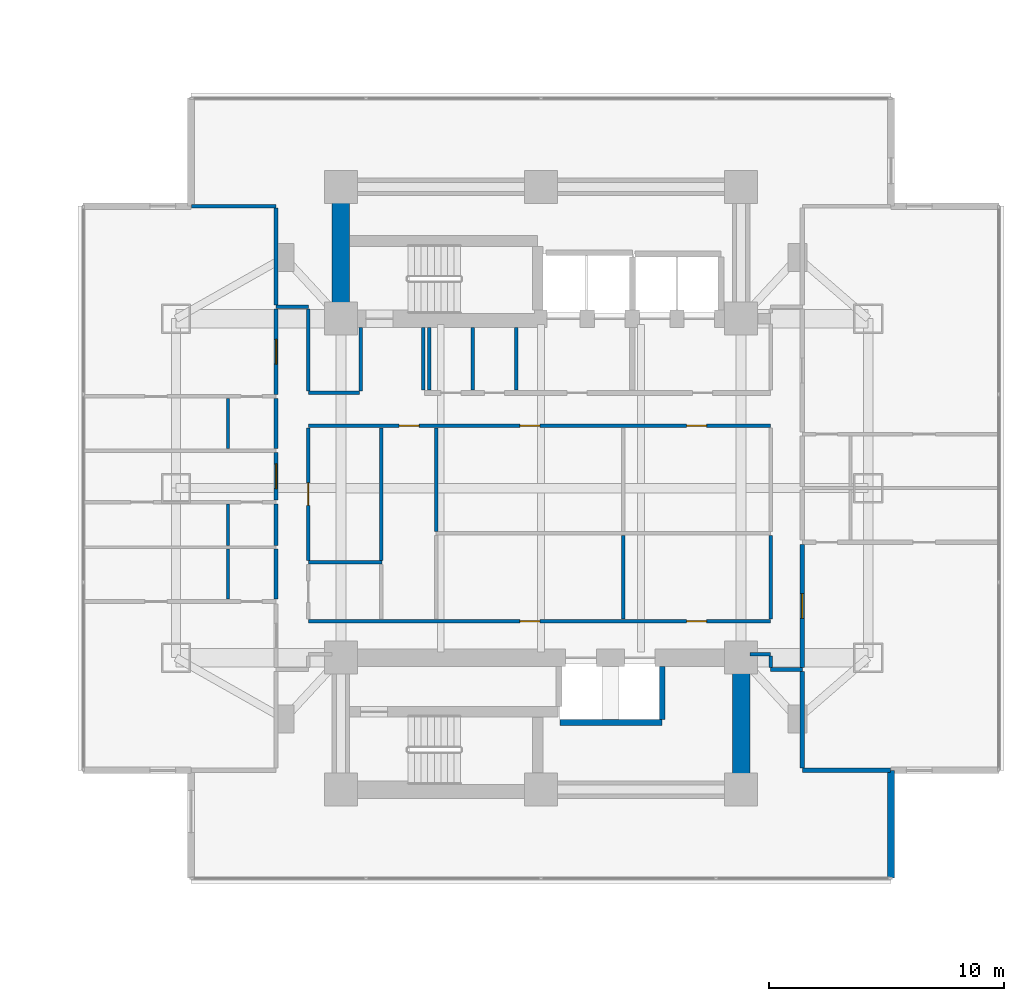
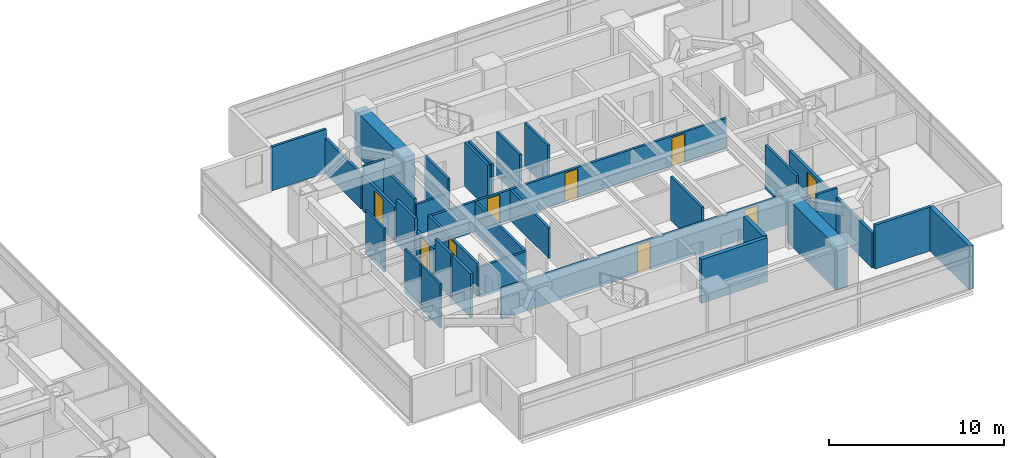
# One storey, part 19 of 26: 37 walls, 9 doors, 9 openings.
"""IFC4 building model written with IfcOpenShell, lengths in metres."""

import ifcopenshell
import ifcopenshell.guid

model = None  # the IFC model being written
_history = None  # IfcOwnerHistory: only IFC2X3 demands one
_inside = {}  # id of a spatial element -> (the spatial element, [elements in it])
_under = {}  # id of a project, library or spatial element -> (it, [spatial elements below it])
_declared = {}  # id of a project -> (the project, [libraries it declares])
_typed = {}  # id of a type object -> (the type object, [elements of that type])
_made_of = {}  # id of a material, layer set ... -> (it, [elements and type objects made of it])


def new_model(schema):
    """Start an empty IFC model of exactly this schema.

    Asked for "IFC4X3", IfcOpenShell would pick the latest addendum, in which some entities
    have other attributes; the version numbers below select the first issue.
    IFC2X3 requires an IfcOwnerHistory on every rooted entity: one is made here for all.
    """
    global model, _history
    if schema == "IFC4X3":
        model = ifcopenshell.file(schema_version=(4, 3, 0, 0))
    else:
        model = ifcopenshell.file(schema=schema)
    _inside.clear()
    _under.clear()
    _declared.clear()
    _typed.clear()
    _made_of.clear()
    _history = None
    if model.schema == "IFC2X3":
        org = make("IfcOrganization", Name="unknown")
        user = make(
            "IfcPersonAndOrganization",
            ThePerson=make("IfcPerson", FamilyName="unknown"),
            TheOrganization=org,
        )
        app = make(
            "IfcApplication",
            ApplicationDeveloper=org,
            Version="unknown",
            ApplicationFullName="unknown",
            ApplicationIdentifier="unknown",
        )
        _history = make(
            "IfcOwnerHistory",
            OwningUser=user,
            OwningApplication=app,
            ChangeAction="ADDED",
            CreationDate=0,
        )
    return model


def make(cls, **values):
    """One entity of the class cls with the attributes given. An attribute that is None is left unset."""
    return model.create_entity(
        cls, **{name: value for name, value in values.items() if value is not None}
    )


def rooted(cls, **values):
    """An entity with a GlobalId (a new one), such as an element, a storey or a relation."""
    return make(cls, GlobalId=ifcopenshell.guid.new(), OwnerHistory=_history, **values)


def si_unit(unit_type, name, prefix=None):
    """IfcSIUnit, for example si_unit("LENGTHUNIT", "METRE", prefix="MILLI")."""
    return make("IfcSIUnit", UnitType=unit_type, Prefix=prefix, Name=name)


def assignment(units):
    """IfcUnitAssignment: the units of a project."""
    return None if units is None else make("IfcUnitAssignment", Units=units)


def point(xyz):
    """IfcCartesianPoint."""
    return None if xyz is None else make("IfcCartesianPoint", Coordinates=xyz)


def direction(xyz):
    """IfcDirection."""
    return None if xyz is None else make("IfcDirection", DirectionRatios=xyz)


def frame(location, z_axis=None, x_axis=None):
    """IfcAxis2Placement3D, a coordinate frame: its origin and axes. An axis left out is left unset."""
    return make(
        "IfcAxis2Placement3D",
        Location=point(location),
        Axis=direction(z_axis),
        RefDirection=direction(x_axis),
    )


def frame_2d(location, x_axis=None):
    """IfcAxis2Placement2D, a coordinate frame in the plane: its origin and x axis."""
    return make(
        "IfcAxis2Placement2D", Location=point(location), RefDirection=direction(x_axis)
    )


def origin():
    """The frame at (0, 0, 0) with its axes left unset."""
    return frame((0.0, 0.0, 0.0))


def place(relative_to, where):
    """IfcLocalPlacement: puts the frame where relative to a parent placement (None: the world)."""
    return make(
        "IfcLocalPlacement", PlacementRelTo=relative_to, RelativePlacement=where
    )


def context(
    kind, dimensions, precision=None, world=None, true_north=None, identifier=None
):
    """IfcGeometricRepresentationContext, for example the 3D "Model" context."""
    return make(
        "IfcGeometricRepresentationContext",
        ContextIdentifier=identifier,
        ContextType=kind,
        CoordinateSpaceDimension=dimensions,
        Precision=precision,
        WorldCoordinateSystem=world,
        TrueNorth=true_north,
    )


def subcontext(parent, identifier, kind, view, scale=None):
    """IfcGeometricRepresentationSubContext, for example "Body" below "Model"."""
    return make(
        "IfcGeometricRepresentationSubContext",
        ContextIdentifier=identifier,
        ContextType=kind,
        ParentContext=parent,
        TargetScale=scale,
        TargetView=view,
    )


def project(units=None, contexts=None):
    """IfcProject with its units and contexts."""
    return rooted(
        "IfcProject",
        Name="project",
        RepresentationContexts=contexts,
        UnitsInContext=assignment(units),
    )


def spatial(cls, under=None, at=None, **own):
    """A site, building, storey or space (cls), placed at a placement, below another one or the project."""
    s = rooted(cls, ObjectPlacement=at, **own)
    if under is not None:
        _under.setdefault(under.id(), (under, []))[1].append(s)
    return s


def profile(cls, at=None, kind="AREA", **sizes):
    """A parametric profile (cls). Its sizes go by their IFC names, for example OverallWidth=200.0."""
    return make(cls, ProfileType=kind, Position=at, **sizes)


def rectangle(**sizes):
    """IfcRectangleProfileDef."""
    return profile("IfcRectangleProfileDef", **sizes)


def extrude(swept, where, along, depth):
    """IfcExtrudedAreaSolid: the profile swept, set in the frame where, extruded along a direction by depth."""
    return make(
        "IfcExtrudedAreaSolid",
        SweptArea=swept,
        Position=where,
        ExtrudedDirection=direction(along),
        Depth=depth,
    )


def shape(context_of_items, identifier, shape_type, items):
    """IfcShapeRepresentation: the items that make up one representation, for example the "Body"."""
    return make(
        "IfcShapeRepresentation",
        ContextOfItems=context_of_items,
        RepresentationIdentifier=identifier,
        RepresentationType=shape_type,
        Items=items,
    )


def material(Name=None, Category=None):
    """IfcMaterial."""
    return make("IfcMaterial", Name=Name, Category=Category)


def layer(
    of_material, thickness, ventilated=None, Name=None, Category=None, Priority=None
):
    """IfcMaterialLayer: one layer of a wall or slab, of a material (None: an air gap)."""
    return make(
        "IfcMaterialLayer",
        Material=of_material,
        LayerThickness=thickness,
        IsVentilated=ventilated,
        Name=Name,
        Category=Category,
        Priority=Priority,
    )


def layer_set(layers, Name=None):
    """IfcMaterialLayerSet."""
    return make("IfcMaterialLayerSet", MaterialLayers=layers, LayerSetName=Name)


def made_of(thing, what):
    """Note that an element or type object is made of a material, layer set ...; save() writes the relation."""
    if what is not None:
        _made_of.setdefault(what.id(), (what, []))[1].append(thing)
    return thing


def type_object(cls, material=None, **own):
    """A type object (cls), such as IfcWallType, which elements share."""
    return made_of(rooted(cls, **own), material)


def element(
    cls,
    number,
    at=None,
    inside=None,
    cuts=None,
    type_object=None,
    material=None,
    context=None,
    identifier="Body",
    shape_type=None,
    held_by="IfcProductDefinitionShape",
    body=None,
    shapes=None,
    **own,
):
    """One element of the class cls, such as IfcWall. Its Tag is "e" and its number.

    at: its placement. inside: the storey or other place that contains it. cuts: it is an
    opening in that element (IfcRelVoidsElement). A single representation is given by context,
    identifier, shape_type and body (its items); several are given by shapes. held_by: the class
    of the entity that holds the representations. save() writes the other relations.
    """
    e = rooted(cls, Tag="e%d" % number, ObjectPlacement=at, **own)
    if body is not None:
        shapes = [shape(context, identifier, shape_type, body)]
    if shapes is not None:
        e.Representation = make(held_by, Representations=shapes)
    if inside is not None:
        _inside.setdefault(inside.id(), (inside, []))[1].append(e)
    if cuts is not None:
        rooted(
            "IfcRelVoidsElement", RelatingBuildingElement=cuts, RelatedOpeningElement=e
        )
    if type_object is not None:
        _typed.setdefault(type_object.id(), (type_object, []))[1].append(e)
    return made_of(e, material)


def fill(opening, filler):
    """IfcRelFillsElement: the door or window that sits in an opening."""
    return rooted(
        "IfcRelFillsElement",
        RelatingOpeningElement=opening,
        RelatedBuildingElement=filler,
    )


def aggregate(whole, parts):
    """IfcRelAggregates: a whole, such as a stair, and the parts it consists of."""
    return rooted("IfcRelAggregates", RelatingObject=whole, RelatedObjects=parts)


def save(model, path):
    """Write the relations noted so far, then the file.

    IfcRelAggregates (storeys below a building ...), IfcRelContainedInSpatialStructure (elements
    in a storey), IfcRelDefinesByType, IfcRelAssociatesMaterial and IfcRelDeclares: one each for
    every whole, place, type object, material and project.
    """
    for whole, parts in _under.values():
        aggregate(whole, parts)
    for where, things in _inside.values():
        rooted(
            "IfcRelContainedInSpatialStructure",
            RelatedElements=things,
            RelatingStructure=where,
        )
    for kind, things in _typed.values():
        rooted("IfcRelDefinesByType", RelatedObjects=things, RelatingType=kind)
    for what, things in _made_of.values():
        rooted("IfcRelAssociatesMaterial", RelatedObjects=things, RelatingMaterial=what)
    for by, libraries in _declared.values():
        rooted("IfcRelDeclares", RelatingContext=by, RelatedDefinitions=libraries)
    model.write(path)


model = new_model("IFC4")

# Units and contexts
model_context = context("Model", 3, precision=1e-05, world=origin(), true_north=direction((0.0, 1.0)))
body_context = subcontext(model_context, "Body", "Model", "MODEL_VIEW")
ifc_project = project(units=[si_unit("LENGTHUNIT", "METRE"), si_unit("AREAUNIT", "SQUARE_METRE"), si_unit("VOLUMEUNIT", "CUBIC_METRE"), si_unit("PLANEANGLEUNIT", "RADIAN"), si_unit("MASSUNIT", "GRAM", prefix="KILO")], contexts=[model_context])

# Site, building, storey
site_placement = place(None, origin())
site = spatial("IfcSite", under=ifc_project, at=site_placement, CompositionType="ELEMENT")
building_placement = place(site_placement, origin())
building = spatial("IfcBuilding", under=site, at=building_placement, Name="Mirazonda Arch Towers", CompositionType="ELEMENT")
storey_placement = place(building_placement, frame((0.0, 0.0, 45.5)))
storey = spatial("IfcBuildingStorey", under=building, at=storey_placement, Name="L12", CompositionType="ELEMENT", Elevation=45.5)

# Walls
ifc_material_1 = material(Name="Concrete C60/75", Category="concrete")
ifc_layer_1 = layer(ifc_material_1, 0.75, Name="WALL-CORE-750")
ifc_layer_set_1 = layer_set([ifc_layer_1], Name="Concrete C60/75")
wall_type_1 = type_object("IfcWallType", Name="WALL-CORE-750", PredefinedType="SHEAR", material=ifc_layer_set_1)
for number, where, z_axis, x_axis, name in (
    (1, (68.0, 35.199951171875, 0.0), (0.0, 0.0, 1.0), (0.0, 1.0, 0.0), "L12 T2N-W Core Shear Wall"),
    (2, (85.0, 15.199951171875, 0.0), (0.0, 0.0, 1.0), (0.0, 1.0, 0.0), "L12 T2S-E Core Shear Wall"),
):
    element("IfcWall", number, at=place(storey_placement, frame(where, z_axis=z_axis, x_axis=x_axis)), inside=storey, type_object=wall_type_1, Name=name, PredefinedType="SHEAR", context=body_context, shape_type="SweptSolid", body=[
        extrude(rectangle(XDim=5.60009765625, YDim=0.75, at=frame_2d((2.800048828125, 0.0))), origin(), (0.0, 0.0, 1.0), 3.06005859375),
    ])
ifc_material_2 = material(Name="Precast Concrete C40/50", Category="concrete")
ifc_layer_2 = layer(ifc_material_2, 0.280029296875, Name="WALL-EXT-WALL-280")
ifc_layer_set_2 = layer_set([ifc_layer_2], Name="Precast Concrete C40/50")
wall_type_2 = type_object("IfcWallType", Name="WALL-EXT-WALL-280", PredefinedType="SOLIDWALL", material=ifc_layer_set_2)
wall_1_placement = place(storey_placement, frame((91.365966796875, 11.43701171875, 0.0), z_axis=(0.0, 0.0, 1.0), x_axis=(0.0, 1.0, 0.0)))
element("IfcWall", 3, at=wall_1_placement, inside=storey, type_object=wall_type_2, Name="L12 T2 Corner Notch Return Wall WL-L12-T2-CSE2", PredefinedType="SOLIDWALL", context=body_context, shape_type="SweptSolid", body=[
    extrude(rectangle(XDim=4.579833984375, YDim=0.280029296875, at=frame_2d((2.2900390625, 0.0))), origin(), (0.0, 0.0, 1.0), 3.0400390625),
])
ifc_material_3 = material(Name="Fire-Rated Gypsum Stud Partition")
ifc_layer_3 = layer(ifc_material_3, 0.14990234375, Name="WALL-PART-CORR-150")
ifc_layer_set_3 = layer_set([ifc_layer_3], Name="Fire-Rated Gypsum Stud Partition")
wall_type_3 = type_object("IfcWallType", Name="WALL-PART-CORR-150", PredefinedType="PARTITIONING", material=ifc_layer_set_3)
wall_2_placement = place(storey_placement, frame((86.25, 20.300048828125, 0.0), z_axis=(0.0, 0.0, 1.0), x_axis=(1.0, 0.0, 0.0)))
element("IfcWall", 4, at=wall_2_placement, inside=storey, type_object=wall_type_3, Name="L12 Interior Partition 018", PredefinedType="PARTITIONING", context=body_context, shape_type="SweptSolid", body=[
    extrude(rectangle(XDim=1.35009765625, YDim=0.14990234375, at=frame_2d((0.675048828125, 0.0))), origin(), (0.0, 0.0, 1.0), 3.06005859375),
])
wall_3_placement = place(storey_placement, frame((85.3701171875, 20.949951171875, 0.0), z_axis=(0.0, 0.0, 1.0), x_axis=(1.0, 0.0, 0.0)))
element("IfcWall", 5, at=wall_3_placement, inside=storey, type_object=wall_type_3, Name="L12 Interior Partition 021", PredefinedType="PARTITIONING", context=body_context, shape_type="SweptSolid", body=[
    extrude(rectangle(XDim=0.8798828125, YDim=0.14990234375, at=frame_2d((0.43994140625, 0.0))), origin(), (0.0, 0.0, 1.0), 2.451904296875),
])

# Wall, openings, doors
wall_4_placement = place(storey_placement, frame((66.6201171875, 22.35009765625, 0.0), z_axis=(0.0, 0.0, 1.0), x_axis=(1.0, 0.0, 0.0)))
wall_4 = element("IfcWall", 6, at=wall_4_placement, inside=storey, type_object=wall_type_3, Name="L12 Interior Partition 023", PredefinedType="PARTITIONING", context=body_context, shape_type="SweptSolid", body=[
    extrude(rectangle(XDim=19.6298828125, YDim=0.14990234375, at=frame_2d((9.81494140625, 0.0))), origin(), (0.0, 0.0, 1.0), 2.125),
])
opening_1_placement = place(wall_4_placement, frame((8.98095703125, 0.0, 0.0)))
opening_1 = element("IfcOpeningElement", 7, at=opening_1_placement, cuts=wall_4, Name="Opening DR-128", PredefinedType="OPENING", context=body_context, shape_type="SweptSolid", body=[
    extrude(rectangle(XDim=0.85009765625, YDim=2.010009765625, at=frame_2d((0.425048828125, 1.0048828125))), frame((0.0, 0.0849609375, 0.0), z_axis=(0.0, -1.0, 0.0), x_axis=(1.0, 0.0, 0.0)), (0.0, 0.0, 1.0), 0.169921875),
])
opening_2_placement = place(wall_4_placement, frame((16.06103515625, 0.0, 0.0)))
opening_2 = element("IfcOpeningElement", 8, at=opening_2_placement, cuts=wall_4, Name="Opening DR-128", PredefinedType="OPENING", context=body_context, shape_type="SweptSolid", body=[
    extrude(rectangle(XDim=0.85009765625, YDim=2.010009765625, at=frame_2d((0.425048828125, 1.0048828125))), frame((0.0, 0.0849609375, 0.0), z_axis=(0.0, -1.0, 0.0), x_axis=(1.0, 0.0, 0.0)), (0.0, 0.0, 1.0), 0.169921875),
])
ifc_material_4 = material(Name="Architectural Brushed Steel S355", Category="steel")
door_type_1 = type_object("IfcDoorType", Name="DOOR-RISER-FD60-850", OperationType="NOTDEFINED", PredefinedType="DOOR", material=ifc_material_4)
door_1_placement = place(opening_1_placement, origin())
door_1 = element("IfcDoor", 9, at=door_1_placement, inside=storey, type_object=door_type_1, Name="L12 Executive Club Lounge Door", OperationType="SINGLE_SWING_LEFT", OverallHeight=2.010009765625, OverallWidth=0.85009765625, PredefinedType="DOOR", context=body_context, shape_type="SweptSolid", body=[
    extrude(rectangle(XDim=0.85009765625, YDim=2.010009765625, at=frame_2d((0.425048828125, 1.0048828125))), frame((0.0, 0.02490234375, 0.0), z_axis=(0.0, -1.0, 0.0), x_axis=(1.0, 0.0, 0.0)), (0.0, 0.0, 1.0), 0.050048828125),
])
fill(opening_1, door_1)
door_2_placement = place(opening_2_placement, origin())
door_2 = element("IfcDoor", 10, at=door_2_placement, inside=storey, type_object=door_type_1, Name="L12 Business Reading Study Door", OperationType="SINGLE_SWING_RIGHT", OverallHeight=2.010009765625, OverallWidth=0.85009765625, PredefinedType="DOOR", context=body_context, shape_type="SweptSolid", body=[
    extrude(rectangle(XDim=0.85009765625, YDim=2.010009765625, at=frame_2d((0.425048828125, 1.0048828125))), frame((0.0, 0.02490234375, 0.0), z_axis=(0.0, -1.0, 0.0), x_axis=(1.0, 0.0, 0.0)), (0.0, 0.0, 1.0), 0.050048828125),
])
fill(opening_2, door_2)

# Wall
wall_5_placement = place(storey_placement, frame((66.6201171875, 24.85009765625, 0.0), z_axis=(0.0, 0.0, 1.0), x_axis=(1.0, 0.0, 0.0)))
element("IfcWall", 11, at=wall_5_placement, inside=storey, type_object=wall_type_3, Name="L12 Interior Partition 027", PredefinedType="PARTITIONING", context=body_context, shape_type="SweptSolid", body=[
    extrude(rectangle(XDim=3.1298828125, YDim=0.14990234375, at=frame_2d((1.56494140625, 0.0))), origin(), (0.0, 0.0, 1.0), 2.125),
])

# Wall, openings, doors
wall_6_placement = place(storey_placement, frame((66.6201171875, 30.64990234375, 0.0), z_axis=(0.0, 0.0, 1.0), x_axis=(1.0, 0.0, 0.0)))
wall_6 = element("IfcWall", 12, at=wall_6_placement, inside=storey, type_object=wall_type_3, Name="L12 Interior Partition 039", PredefinedType="PARTITIONING", context=body_context, shape_type="SweptSolid", body=[
    extrude(rectangle(XDim=19.6298828125, YDim=0.14990234375, at=frame_2d((9.81494140625, 0.0))), origin(), (0.0, 0.0, 1.0), 2.125),
])
opening_3_placement = place(wall_6_placement, frame((3.85498046875, 0.0, 0.0)))
opening_3 = element("IfcOpeningElement", 13, at=opening_3_placement, cuts=wall_6, Name="Opening DR-128", PredefinedType="OPENING", context=body_context, shape_type="SweptSolid", body=[
    extrude(rectangle(XDim=0.85009765625, YDim=2.010009765625, at=frame_2d((0.425048828125, 1.0048828125))), frame((0.0, 0.0849609375, 0.0), z_axis=(0.0, -1.0, 0.0), x_axis=(1.0, 0.0, 0.0)), (0.0, 0.0, 1.0), 0.169921875),
])
opening_4_placement = place(wall_6_placement, frame((8.98095703125, 0.0, 0.0)))
opening_4 = element("IfcOpeningElement", 14, at=opening_4_placement, cuts=wall_6, Name="Opening DR-128", PredefinedType="OPENING", context=body_context, shape_type="SweptSolid", body=[
    extrude(rectangle(XDim=0.85009765625, YDim=2.010009765625, at=frame_2d((0.425048828125, 1.0048828125))), frame((0.0, 0.0849609375, 0.0), z_axis=(0.0, -1.0, 0.0), x_axis=(1.0, 0.0, 0.0)), (0.0, 0.0, 1.0), 0.169921875),
])
opening_5_placement = place(wall_6_placement, frame((16.06103515625, 0.0, 0.0)))
opening_5 = element("IfcOpeningElement", 15, at=opening_5_placement, cuts=wall_6, Name="Opening DR-128", PredefinedType="OPENING", context=body_context, shape_type="SweptSolid", body=[
    extrude(rectangle(XDim=0.85009765625, YDim=2.010009765625, at=frame_2d((0.425048828125, 1.0048828125))), frame((0.0, 0.0849609375, 0.0), z_axis=(0.0, -1.0, 0.0), x_axis=(1.0, 0.0, 0.0)), (0.0, 0.0, 1.0), 0.169921875),
])
door_3_placement = place(opening_3_placement, origin())
door_3 = element("IfcDoor", 16, at=door_3_placement, inside=storey, type_object=door_type_1, Name="L12 L12 East Courtyard Study Door", OperationType="SINGLE_SWING_RIGHT", OverallHeight=2.010009765625, OverallWidth=0.85009765625, PredefinedType="DOOR", context=body_context, shape_type="SweptSolid", body=[
    extrude(rectangle(XDim=0.85009765625, YDim=2.010009765625, at=frame_2d((0.425048828125, 1.0048828125))), frame((0.0, 0.02490234375, 0.0), z_axis=(0.0, -1.0, 0.0), x_axis=(1.0, 0.0, 0.0)), (0.0, 0.0, 1.0), 0.050048828125),
])
fill(opening_3, door_3)
door_4_placement = place(opening_4_placement, origin())
door_4 = element("IfcDoor", 17, at=door_4_placement, inside=storey, type_object=door_type_1, Name="L12 Concierge Salon Door", OperationType="SINGLE_SWING_LEFT", OverallHeight=2.010009765625, OverallWidth=0.85009765625, PredefinedType="DOOR", context=body_context, shape_type="SweptSolid", body=[
    extrude(rectangle(XDim=0.85009765625, YDim=2.010009765625, at=frame_2d((0.425048828125, 1.0048828125))), frame((0.0, 0.02490234375, 0.0), z_axis=(0.0, -1.0, 0.0), x_axis=(1.0, 0.0, 0.0)), (0.0, 0.0, 1.0), 0.050048828125),
])
fill(opening_4, door_4)
door_5_placement = place(opening_5_placement, origin())
door_5 = element("IfcDoor", 18, at=door_5_placement, inside=storey, type_object=door_type_1, Name="L12 Private Meeting Suite Door", OperationType="SINGLE_SWING_RIGHT", OverallHeight=2.010009765625, OverallWidth=0.85009765625, PredefinedType="DOOR", context=body_context, shape_type="SweptSolid", body=[
    extrude(rectangle(XDim=0.85009765625, YDim=2.010009765625, at=frame_2d((0.425048828125, 1.0048828125))), frame((0.0, 0.02490234375, 0.0), z_axis=(0.0, -1.0, 0.0), x_axis=(1.0, 0.0, 0.0)), (0.0, 0.0, 1.0), 0.050048828125),
])
fill(opening_5, door_5)

# Walls
wall_7_placement = place(storey_placement, frame((66.6201171875, 32.050048828125, 0.0), z_axis=(0.0, 0.0, 1.0), x_axis=(1.0, 0.0, 0.0)))
element("IfcWall", 19, at=wall_7_placement, inside=storey, type_object=wall_type_3, Name="L12 Interior Partition 042", PredefinedType="PARTITIONING", context=body_context, shape_type="SweptSolid", body=[
    extrude(rectangle(XDim=2.179931640625, YDim=0.14990234375, at=frame_2d((1.08984375, 0.0))), origin(), (0.0, 0.0, 1.0), 2.125),
])
wall_8_placement = place(storey_placement, frame((65.25, 35.699951171875, 0.0), z_axis=(0.0, 0.0, 1.0), x_axis=(1.0, 0.0, 0.0)))
element("IfcWall", 20, at=wall_8_placement, inside=storey, type_object=wall_type_3, Name="L12 Interior Partition 051", PredefinedType="PARTITIONING", context=body_context, shape_type="SweptSolid", body=[
    extrude(rectangle(XDim=1.3701171875, YDim=0.14990234375, at=frame_2d((0.68505859375, 0.0))), origin(), (0.0, 0.0, 1.0), 3.06005859375),
])
wall_9_placement = place(storey_placement, frame((61.654052734375, 39.98291015625, 0.0), z_axis=(0.0, 0.0, 1.0), x_axis=(1.0, 0.0, 0.0)))
element("IfcWall", 21, at=wall_9_placement, inside=storey, type_object=wall_type_3, Name="L12 Interior Partition 057", PredefinedType="PARTITIONING", context=body_context, shape_type="SweptSolid", body=[
    extrude(rectangle(XDim=3.595947265625, YDim=0.14990234375, at=frame_2d((1.7978515625, 0.0))), origin(), (0.0, 0.0, 1.0), 3.06005859375),
])

# Wall, opening, door
wall_10_placement = place(storey_placement, frame((66.6201171875, 24.93505859375, 0.0), z_axis=(0.0, 0.0, 1.0), x_axis=(0.0, 1.0, 0.0)))
wall_10 = element("IfcWall", 22, at=wall_10_placement, inside=storey, type_object=wall_type_3, Name="L12 Interior Partition 140", PredefinedType="PARTITIONING", context=body_context, shape_type="SweptSolid", body=[
    extrude(rectangle(XDim=5.6298828125, YDim=0.14990234375, at=frame_2d((2.81494140625, 0.0))), origin(), (0.0, 0.0, 1.0), 2.279052734375),
])
opening_6_placement = place(wall_10_placement, frame((2.340087890625, 0.0, 0.0)))
opening_6 = element("IfcOpeningElement", 23, at=opening_6_placement, cuts=wall_10, Name="Opening DR-104", PredefinedType="OPENING", context=body_context, shape_type="SweptSolid", body=[
    extrude(rectangle(XDim=0.949951171875, YDim=2.14990234375, at=frame_2d((0.47509765625, 1.074951171875))), frame((0.0, 0.0849609375, 0.0), z_axis=(0.0, -1.0, 0.0), x_axis=(1.0, 0.0, 0.0)), (0.0, 0.0, 1.0), 0.169921875),
])
door_type_2 = type_object("IfcDoorType", Name="DOOR-ROOM-950", OperationType="NOTDEFINED", PredefinedType="DOOR", material=ifc_material_4)
door_6_placement = place(opening_6_placement, origin())
door_6 = element("IfcDoor", 24, at=door_6_placement, inside=storey, type_object=door_type_2, Name="L12 L12 East Courtyard Reading Study Door", OperationType="SINGLE_SWING_LEFT", OverallHeight=2.14990234375, OverallWidth=0.949951171875, PredefinedType="DOOR", context=body_context, shape_type="SweptSolid", body=[
    extrude(rectangle(XDim=0.949951171875, YDim=2.14990234375, at=frame_2d((0.47509765625, 1.074951171875))), frame((0.0, 0.02490234375, 0.0), z_axis=(0.0, -1.0, 0.0), x_axis=(1.0, 0.0, 0.0)), (0.0, 0.0, 1.0), 0.050048828125),
])
fill(opening_6, door_6)

# Walls
wall_11_placement = place(storey_placement, frame((66.6201171875, 32.135009765625, 0.0), z_axis=(0.0, 0.0, 1.0), x_axis=(0.0, 1.0, 0.0)))
element("IfcWall", 25, at=wall_11_placement, inside=storey, type_object=wall_type_3, Name="L12 Interior Partition 141", PredefinedType="PARTITIONING", context=body_context, shape_type="SweptSolid", body=[
    extrude(rectangle(XDim=3.47998046875, YDim=0.14990234375, at=frame_2d((1.739990234375, 0.0))), origin(), (0.0, 0.0, 1.0), 2.451904296875),
])
wall_12_placement = place(storey_placement, frame((68.85009765625, 32.135009765625, 0.0), z_axis=(0.0, 0.0, 1.0), x_axis=(0.0, 1.0, 0.0)))
element("IfcWall", 26, at=wall_12_placement, inside=storey, type_object=wall_type_3, Name="L12 Interior Partition 142", PredefinedType="PARTITIONING", context=body_context, shape_type="SweptSolid", body=[
    extrude(rectangle(XDim=2.695068359375, YDim=0.14990234375, at=frame_2d((1.34765625, 0.0))), origin(), (0.0, 0.0, 1.0), 3.06005859375),
])
wall_13_placement = place(storey_placement, frame((69.723388671875, 24.93505859375, 0.0), z_axis=(0.0, 0.0, 1.0), x_axis=(0.0, 1.0, 0.0)))
element("IfcWall", 27, at=wall_13_placement, inside=storey, type_object=wall_type_3, Name="L12 Interior Partition 144", PredefinedType="PARTITIONING", context=body_context, shape_type="SweptSolid", body=[
    extrude(rectangle(XDim=5.6298828125, YDim=0.14990234375, at=frame_2d((2.81494140625, 0.0))), origin(), (0.0, 0.0, 1.0), 2.125),
])
for number, where, z_axis, x_axis, name in (
    (28, (71.5, 32.169921875, 0.0), (0.0, 0.0, 1.0), (0.0, 1.0, 0.0), "L12 Interior Partition 145"),
    (29, (71.75, 32.169921875, 0.0), (0.0, 0.0, 1.0), (0.0, 1.0, 0.0), "L12 Interior Partition 146"),
):
    element("IfcWall", number, at=place(storey_placement, frame(where, z_axis=z_axis, x_axis=x_axis)), inside=storey, type_object=wall_type_3, Name=name, PredefinedType="PARTITIONING", context=body_context, shape_type="SweptSolid", body=[
        extrude(rectangle(XDim=2.66015625, YDim=0.14990234375, at=frame_2d((1.330078125, 0.0))), origin(), (0.0, 0.0, 1.0), 3.06005859375),
    ])
wall_14_placement = place(storey_placement, frame((72.050048828125, 26.169921875, 0.0), z_axis=(0.0, 0.0, 1.0), x_axis=(0.0, 1.0, 0.0)))
element("IfcWall", 30, at=wall_14_placement, inside=storey, type_object=wall_type_3, Name="L12 Interior Partition 148", PredefinedType="PARTITIONING", context=body_context, shape_type="SweptSolid", body=[
    extrude(rectangle(XDim=4.39501953125, YDim=0.14990234375, at=frame_2d((2.197509765625, 0.0))), origin(), (0.0, 0.0, 1.0), 2.125),
])
for number, where, z_axis, x_axis, name in (
    (31, (73.60009765625, 32.169921875, 0.0), (0.0, 0.0, 1.0), (0.0, 1.0, 0.0), "L12 Interior Partition 149"),
    (32, (75.449951171875, 32.169921875, 0.0), (0.0, 0.0, 1.0), (0.0, 1.0, 0.0), "L12 Interior Partition 150"),
):
    element("IfcWall", number, at=place(storey_placement, frame(where, z_axis=z_axis, x_axis=x_axis)), inside=storey, type_object=wall_type_3, Name=name, PredefinedType="PARTITIONING", context=body_context, shape_type="SweptSolid", body=[
        extrude(rectangle(XDim=2.66015625, YDim=0.14990234375, at=frame_2d((1.330078125, 0.0))), origin(), (0.0, 0.0, 1.0), 3.06005859375),
    ])
wall_15_placement = place(storey_placement, frame((80.001953125, 22.43505859375, 0.0), z_axis=(0.0, 0.0, 1.0), x_axis=(0.0, 1.0, 0.0)))
element("IfcWall", 33, at=wall_15_placement, inside=storey, type_object=wall_type_3, Name="L12 Interior Partition 154", PredefinedType="PARTITIONING", context=body_context, shape_type="SweptSolid", body=[
    extrude(rectangle(XDim=3.56494140625, YDim=0.14990234375, at=frame_2d((1.782470703125, 0.0))), origin(), (0.0, 0.0, 1.0), 3.06005859375),
])
wall_16_placement = place(storey_placement, frame((86.25, 20.385009765625, 0.0), z_axis=(0.0, 0.0, 1.0), x_axis=(0.0, 1.0, 0.0)))
element("IfcWall", 34, at=wall_16_placement, inside=storey, type_object=wall_type_3, Name="L12 Interior Partition 160", PredefinedType="PARTITIONING", context=body_context, shape_type="SweptSolid", body=[
    extrude(rectangle(XDim=0.47998046875, YDim=0.14990234375, at=frame_2d((0.239990234375, 0.0))), origin(), (0.0, 0.0, 1.0), 2.451904296875),
])
wall_17_placement = place(storey_placement, frame((86.25, 22.43505859375, 0.0), z_axis=(0.0, 0.0, 1.0), x_axis=(0.0, 1.0, 0.0)))
element("IfcWall", 35, at=wall_17_placement, inside=storey, type_object=wall_type_3, Name="L12 Interior Partition 161", PredefinedType="PARTITIONING", context=body_context, shape_type="SweptSolid", body=[
    extrude(rectangle(XDim=3.56494140625, YDim=0.14990234375, at=frame_2d((1.782470703125, 0.0))), origin(), (0.0, 0.0, 1.0), 3.06005859375),
])
ifc_material_5 = material(Name="Fire-Rated Gypsum Twin-Stud Assembly")
ifc_layer_4 = layer(ifc_material_5, 0.179931640625, Name="WALL-PART-DEMISE-180")
ifc_layer_set_4 = layer_set([ifc_layer_4], Name="Fire-Rated Gypsum Twin-Stud Assembly")
wall_type_4 = type_object("IfcWallType", Name="WALL-PART-DEMISE-180", PredefinedType="PARTITIONING", material=ifc_layer_set_4)
wall_18_placement = place(storey_placement, frame((87.60009765625, 16.01708984375, 0.0), z_axis=(0.0, 0.0, 1.0), x_axis=(1.0, 0.0, 0.0)))
element("IfcWall", 36, at=wall_18_placement, inside=storey, type_object=wall_type_4, Name="L12 Interior Partition 009", PredefinedType="PARTITIONING", context=body_context, shape_type="SweptSolid", body=[
    extrude(rectangle(XDim=3.745849609375, YDim=0.179931640625, at=frame_2d((1.873046875, 0.0))), origin(), (0.0, 0.0, 1.0), 3.06005859375),
])
wall_19_placement = place(storey_placement, frame((65.25, 23.2919921875, 0.0), z_axis=(0.0, 0.0, 1.0), x_axis=(0.0, 1.0, 0.0)))
element("IfcWall", 37, at=wall_19_placement, inside=storey, type_object=wall_type_4, Name="L12 Interior Partition 132", PredefinedType="PARTITIONING", context=body_context, shape_type="SweptSolid", body=[
    extrude(rectangle(XDim=2.12744140625, YDim=0.179931640625, at=frame_2d((1.063720703125, 0.0))), origin(), (0.0, 0.0, 1.0), 3.06005859375),
])
wall_20_placement = place(storey_placement, frame((65.25, 25.564453125, 0.0), z_axis=(0.0, 0.0, 1.0), x_axis=(0.0, 1.0, 0.0)))
element("IfcWall", 38, at=wall_20_placement, inside=storey, type_object=wall_type_4, Name="L12 Interior Partition 133", PredefinedType="PARTITIONING", context=body_context, shape_type="SweptSolid", body=[
    extrude(rectangle(XDim=1.762451171875, YDim=0.179931640625, at=frame_2d((0.88134765625, 0.0))), origin(), (0.0, 0.0, 1.0), 3.06005859375),
])

# Wall, opening, door
wall_21_placement = place(storey_placement, frame((65.25, 27.4970703125, 0.0), z_axis=(0.0, 0.0, 1.0), x_axis=(0.0, 1.0, 0.0)))
wall_21 = element("IfcWall", 39, at=wall_21_placement, inside=storey, type_object=wall_type_4, Name="L12 Interior Partition 134", PredefinedType="PARTITIONING", context=body_context, shape_type="SweptSolid", body=[
    extrude(rectangle(XDim=2.013916015625, YDim=0.179931640625, at=frame_2d((1.0068359375, 0.0))), origin(), (0.0, 0.0, 1.0), 2.279052734375),
])
opening_7_placement = place(wall_21_placement, frame((0.48193359375, 0.0, 0.0)))
opening_7 = element("IfcOpeningElement", 40, at=opening_7_placement, cuts=wall_21, Name="Opening DR-121", PredefinedType="OPENING", context=body_context, shape_type="SweptSolid", body=[
    extrude(rectangle(XDim=1.050048828125, YDim=2.199951171875, at=frame_2d((0.52490234375, 1.10009765625))), frame((0.0, 0.099853515625, 0.0), z_axis=(0.0, -1.0, 0.0), x_axis=(1.0, 0.0, 0.0)), (0.0, 0.0, 1.0), 0.199951171875),
])
door_type_3 = type_object("IfcDoorType", Name="DOOR-SUITE-FD60-1050", OperationType="NOTDEFINED", PredefinedType="DOOR", material=ifc_material_4)
door_7_placement = place(opening_7_placement, origin())
door_7 = element("IfcDoor", 41, at=door_7_placement, inside=storey, type_object=door_type_3, Name="L12 Twin Hotel Guestroom 2 Door", OperationType="SINGLE_SWING_LEFT", OverallHeight=2.199951171875, OverallWidth=1.050048828125, PredefinedType="DOOR", context=body_context, shape_type="SweptSolid", body=[
    extrude(rectangle(XDim=1.050048828125, YDim=2.199951171875, at=frame_2d((0.52490234375, 1.10009765625))), frame((0.0, 0.02490234375, 0.0), z_axis=(0.0, -1.0, 0.0), x_axis=(1.0, 0.0, 0.0)), (0.0, 0.0, 1.0), 0.050048828125),
])
fill(opening_7, door_7)

# Wall
wall_22_placement = place(storey_placement, frame((65.25, 29.680908203125, 0.0), z_axis=(0.0, 0.0, 1.0), x_axis=(0.0, 1.0, 0.0)))
element("IfcWall", 42, at=wall_22_placement, inside=storey, type_object=wall_type_4, Name="L12 Interior Partition 135", PredefinedType="PARTITIONING", context=body_context, shape_type="SweptSolid", body=[
    extrude(rectangle(XDim=2.130126953125, YDim=0.179931640625, at=frame_2d((1.06494140625, 0.0))), origin(), (0.0, 0.0, 1.0), 3.06005859375),
])

# Wall, opening, door
wall_23_placement = place(storey_placement, frame((65.25, 31.98095703125, 0.0), z_axis=(0.0, 0.0, 1.0), x_axis=(0.0, 1.0, 0.0)))
wall_23 = element("IfcWall", 43, at=wall_23_placement, inside=storey, type_object=wall_type_4, Name="L12 Interior Partition 136", PredefinedType="PARTITIONING", context=body_context, shape_type="SweptSolid", body=[
    extrude(rectangle(XDim=3.634033203125, YDim=0.179931640625, at=frame_2d((1.81689453125, 0.0))), origin(), (0.0, 0.0, 1.0), 2.451904296875),
])
opening_8_placement = place(wall_23_placement, frame((1.2919921875, 0.0, 0.0)))
opening_8 = element("IfcOpeningElement", 44, at=opening_8_placement, cuts=wall_23, Name="Opening DR-121", PredefinedType="OPENING", context=body_context, shape_type="SweptSolid", body=[
    extrude(rectangle(XDim=1.050048828125, YDim=2.199951171875, at=frame_2d((0.52490234375, 1.10009765625))), frame((0.0, 0.099853515625, 0.0), z_axis=(0.0, -1.0, 0.0), x_axis=(1.0, 0.0, 0.0)), (0.0, 0.0, 1.0), 0.199951171875),
])
door_8_placement = place(opening_8_placement, origin())
door_8 = element("IfcDoor", 45, at=door_8_placement, inside=storey, type_object=door_type_3, Name="L12 King Hotel Guestroom 3 Door", OperationType="SINGLE_SWING_RIGHT", OverallHeight=2.199951171875, OverallWidth=1.050048828125, PredefinedType="DOOR", context=body_context, shape_type="SweptSolid", body=[
    extrude(rectangle(XDim=1.050048828125, YDim=2.199951171875, at=frame_2d((0.52490234375, 1.10009765625))), frame((0.0, 0.02490234375, 0.0), z_axis=(0.0, -1.0, 0.0), x_axis=(1.0, 0.0, 0.0)), (0.0, 0.0, 1.0), 0.050048828125),
])
fill(opening_8, door_8)

# Walls
wall_24_placement = place(storey_placement, frame((65.25, 35.784912109375, 0.0), z_axis=(0.0, 0.0, 1.0), x_axis=(0.0, 1.0, 0.0)))
element("IfcWall", 46, at=wall_24_placement, inside=storey, type_object=wall_type_4, Name="L12 Interior Partition 137", PredefinedType="PARTITIONING", context=body_context, shape_type="SweptSolid", body=[
    extrude(rectangle(XDim=4.113037109375, YDim=0.179931640625, at=frame_2d((2.056640625, 0.0))), origin(), (0.0, 0.0, 1.0), 2.43603515625),
])
wall_25_placement = place(storey_placement, frame((87.60009765625, 16.116943359375, 0.0), z_axis=(0.0, 0.0, 1.0), x_axis=(0.0, 1.0, 0.0)))
element("IfcWall", 47, at=wall_25_placement, inside=storey, type_object=wall_type_4, Name="L12 Interior Partition 165", PredefinedType="PARTITIONING", context=body_context, shape_type="SweptSolid", body=[
    extrude(rectangle(XDim=4.09814453125, YDim=0.179931640625, at=frame_2d((2.049072265625, 0.0))), origin(), (0.0, 0.0, 1.0), 2.43603515625),
])

# Wall, opening, door
wall_26_placement = place(storey_placement, frame((87.60009765625, 20.385009765625, 0.0), z_axis=(0.0, 0.0, 1.0), x_axis=(0.0, 1.0, 0.0)))
wall_26 = element("IfcWall", 48, at=wall_26_placement, inside=storey, type_object=wall_type_4, Name="L12 Interior Partition 166", PredefinedType="PARTITIONING", context=body_context, shape_type="SweptSolid", body=[
    extrude(rectangle(XDim=5.215087890625, YDim=0.179931640625, at=frame_2d((2.607421875, 0.0))), origin(), (0.0, 0.0, 1.0), 2.451904296875),
])
opening_9_placement = place(wall_26_placement, frame((2.08251953125, 0.0, 0.0)))
opening_9 = element("IfcOpeningElement", 49, at=opening_9_placement, cuts=wall_26, Name="Opening DR-121", PredefinedType="OPENING", context=body_context, shape_type="SweptSolid", body=[
    extrude(rectangle(XDim=1.050048828125, YDim=2.199951171875, at=frame_2d((0.52490234375, 1.10009765625))), frame((0.0, 0.099853515625, 0.0), z_axis=(0.0, -1.0, 0.0), x_axis=(1.0, 0.0, 0.0)), (0.0, 0.0, 1.0), 0.199951171875),
])
door_9_placement = place(opening_9_placement, origin())
door_9 = element("IfcDoor", 50, at=door_9_placement, inside=storey, type_object=door_type_3, Name="L12 Presidential Hotel Suite 1 Door", OperationType="SINGLE_SWING_LEFT", OverallHeight=2.199951171875, OverallWidth=1.050048828125, PredefinedType="DOOR", context=body_context, shape_type="SweptSolid", body=[
    extrude(rectangle(XDim=1.050048828125, YDim=2.199951171875, at=frame_2d((0.52490234375, 1.10009765625))), frame((0.0, 0.02490234375, 0.0), z_axis=(0.0, -1.0, 0.0), x_axis=(1.0, 0.0, 0.0)), (0.0, 0.0, 1.0), 0.050048828125),
])
fill(opening_9, door_9)

# Walls
ifc_material_6 = material(Name="Acoustic Fire-Rated Gypsum Partition")
ifc_layer_5 = layer(ifc_material_6, 0.125, Name="WALL-PART-UNIT-125")
ifc_layer_set_5 = layer_set([ifc_layer_5], Name="Acoustic Fire-Rated Gypsum Partition")
wall_type_5 = type_object("IfcWallType", Name="WALL-PART-UNIT-125", PredefinedType="PARTITIONING", material=ifc_layer_set_5)
wall_27_placement = place(storey_placement, frame((63.2099609375, 23.2919921875, 0.0), z_axis=(0.0, 0.0, 1.0), x_axis=(0.0, 1.0, 0.0)))
element("IfcWall", 51, at=wall_27_placement, inside=storey, type_object=wall_type_5, Name="L12 Interior Partition 127", PredefinedType="PARTITIONING", context=body_context, shape_type="SweptSolid", body=[
    extrude(rectangle(XDim=2.12744140625, YDim=0.125, at=frame_2d((1.063720703125, 0.0))), origin(), (0.0, 0.0, 1.0), 3.06005859375),
])
wall_28_placement = place(storey_placement, frame((63.2099609375, 25.564453125, 0.0), z_axis=(0.0, 0.0, 1.0), x_axis=(0.0, 1.0, 0.0)))
element("IfcWall", 52, at=wall_28_placement, inside=storey, type_object=wall_type_5, Name="L12 Interior Partition 128", PredefinedType="PARTITIONING", context=body_context, shape_type="SweptSolid", body=[
    extrude(rectangle(XDim=1.762451171875, YDim=0.125, at=frame_2d((0.88134765625, 0.0))), origin(), (0.0, 0.0, 1.0), 3.06005859375),
])
wall_29_placement = place(storey_placement, frame((63.2099609375, 29.680908203125, 0.0), z_axis=(0.0, 0.0, 1.0), x_axis=(0.0, 1.0, 0.0)))
element("IfcWall", 53, at=wall_29_placement, inside=storey, type_object=wall_type_5, Name="L12 Interior Partition 129", PredefinedType="PARTITIONING", context=body_context, shape_type="SweptSolid", body=[
    extrude(rectangle(XDim=2.130126953125, YDim=0.125, at=frame_2d((1.06494140625, 0.0))), origin(), (0.0, 0.0, 1.0), 3.06005859375),
])
ifc_material_7 = material(Name="Concrete C40/50", Category="concrete")
ifc_layer_6 = layer(ifc_material_7, 0.25, Name="WALL-SHAFT-250")
ifc_layer_set_6 = layer_set([ifc_layer_6], Name="Concrete C40/50")
wall_type_6 = type_object("IfcWallType", Name="WALL-SHAFT-250", PredefinedType="SOLIDWALL", material=ifc_layer_set_6)
wall_30_placement = place(storey_placement, frame((77.300048828125, 18.050048828125, 0.0), z_axis=(0.0, 0.0, 1.0), x_axis=(1.0, 0.0, 0.0)))
element("IfcWall", 54, at=wall_30_placement, inside=storey, type_object=wall_type_6, Name="L12 Interior Partition 011", PredefinedType="SOLIDWALL", context=body_context, shape_type="SweptSolid", body=[
    extrude(rectangle(XDim=4.349853515625, YDim=0.25, at=frame_2d((2.1748046875, 0.0))), origin(), (0.0, 0.0, 1.0), 3.06005859375),
])
wall_31_placement = place(storey_placement, frame((81.64990234375, 18.18505859375, 0.0), z_axis=(0.0, 0.0, 1.0), x_axis=(0.0, 1.0, 0.0)))
element("IfcWall", 55, at=wall_31_placement, inside=storey, type_object=wall_type_6, Name="L12 Interior Partition 158", PredefinedType="SOLIDWALL", context=body_context, shape_type="SweptSolid", body=[
    extrude(rectangle(XDim=2.244873046875, YDim=0.25, at=frame_2d((1.12255859375, 0.0))), origin(), (0.0, 0.0, 1.0), 3.06005859375),
])

save(model, "model.ifc")
